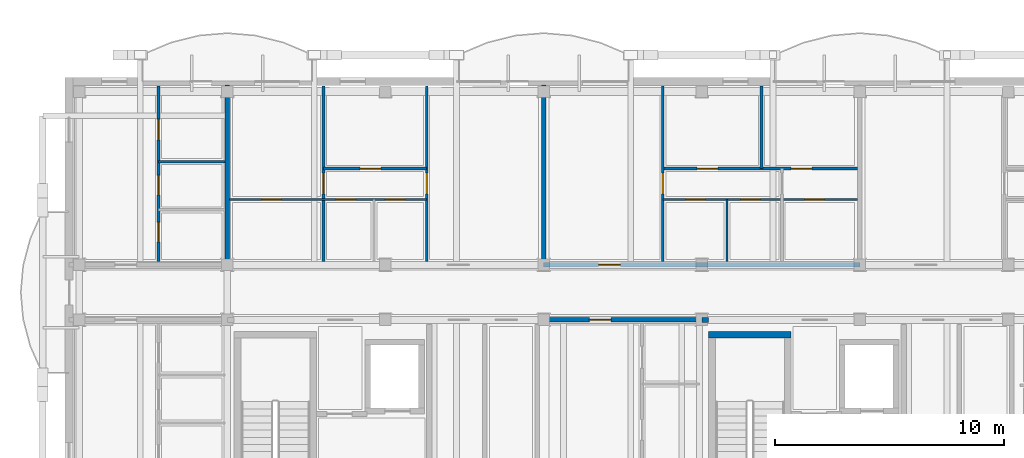
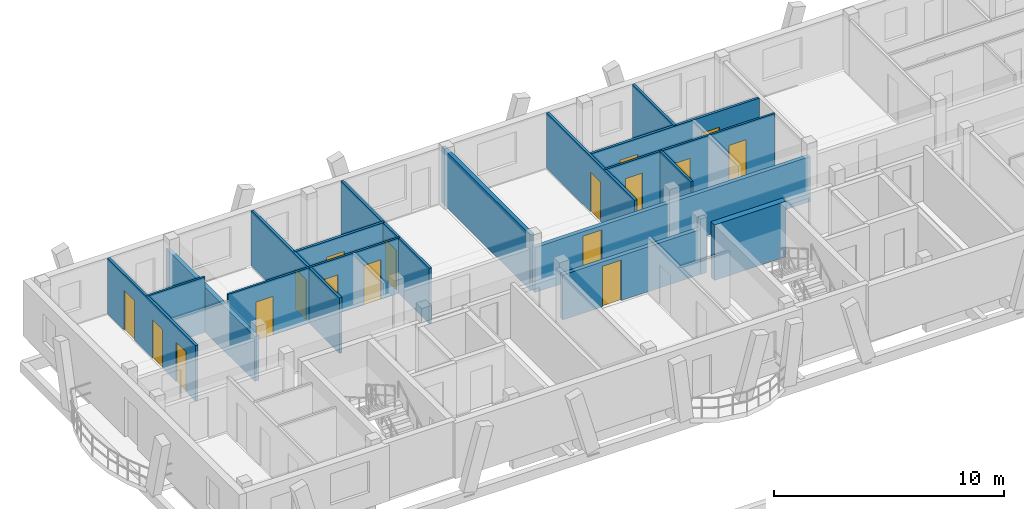
# One storey, part 73 of 109: 17 doors, 17 walls, 17 openings.
"""IFC4 building model written with IfcOpenShell, lengths in metres."""

from ifc_helpers import new_model, si_unit, direction, frame, frame_2d, origin, origin_with_axes, place, context, subcontext, project, spatial, rectangle, extrude, material, layer, layer_set, type_object, element, fill, save


model = new_model("IFC4")

# Units and contexts
model_context = context("Model", 3, precision=1e-05, world=origin(), true_north=direction((0.0, 1.0)))
body_context = subcontext(model_context, "Body", "Model", "MODEL_VIEW")
ifc_project = project(units=[si_unit("LENGTHUNIT", "METRE"), si_unit("AREAUNIT", "SQUARE_METRE"), si_unit("VOLUMEUNIT", "CUBIC_METRE"), si_unit("PLANEANGLEUNIT", "RADIAN"), si_unit("MASSUNIT", "GRAM", prefix="KILO")], contexts=[model_context])

# Site, building, storey
site_placement = place(None, origin())
site = spatial("IfcSite", under=ifc_project, at=site_placement, CompositionType="ELEMENT")
building_placement = place(site_placement, origin())
building = spatial("IfcBuilding", under=site, at=building_placement, Name="Zavelmont Quarter", CompositionType="ELEMENT")
storey_placement = place(building_placement, frame((0.0, 0.0, 8.0)))
storey = spatial("IfcBuildingStorey", under=building, at=storey_placement, Name="L02", CompositionType="ELEMENT", Elevation=8.0)

# Walls
ifc_material_1 = material(Name="Calcium-silicate blockwork and acoustic plaster", Category="masonry")
ifc_layer_1 = layer(ifc_material_1, 0.199951171875)
ifc_layer_set_1 = layer_set([ifc_layer_1], Name="Calcium-silicate blockwork and acoustic plaster")
wall_type_1 = type_object("IfcWallType", Name="IW01", PredefinedType="PARTITIONING", material=ifc_layer_set_1)
wall_1_placement = place(storey_placement, frame((6.89990234375, 108.14990234375, 0.0), z_axis=(0.0, 0.0, 1.0), x_axis=(0.0, 1.0, 0.0)))
element("IfcWall", 1, at=wall_1_placement, inside=storey, type_object=wall_type_1, Name="L02 Inter-dwelling compartment wall IW01", PredefinedType="PARTITIONING", context=body_context, shape_type="SweptSolid", body=[
    extrude(rectangle(XDim=7.7001953125, YDim=0.199951171875, at=frame_2d((3.85009765625, 0.0))), origin(), (0.0, 0.0, 1.0), 2.3798828125),
])
wall_2_placement = place(storey_placement, frame((20.699951171875, 108.14990234375, 0.0), z_axis=(0.0, 0.0, 1.0), x_axis=(0.0, 1.0, 0.0)))
element("IfcWall", 2, at=wall_2_placement, inside=storey, type_object=wall_type_1, Name="L02 Inter-dwelling compartment wall IW01", PredefinedType="PARTITIONING", context=body_context, shape_type="SweptSolid", body=[
    extrude(rectangle(XDim=7.7001953125, YDim=0.199951171875, at=frame_2d((3.85009765625, 0.0))), origin(), (0.0, 0.0, 1.0), 2.93994140625),
])

# Wall, opening, door
wall_3_placement = place(storey_placement, frame((20.699951171875, 108.0, 0.0), z_axis=(0.0, 0.0, 1.0), x_axis=(1.0, 0.0, 0.0)))
wall_3 = element("IfcWall", 3, at=wall_3_placement, inside=storey, type_object=wall_type_1, Name="L02 Corridor compartment wall IW01", PredefinedType="PARTITIONING", context=body_context, shape_type="SweptSolid", body=[
    extrude(rectangle(XDim=13.800048828125, YDim=0.199951171875, at=frame_2d((6.89990234375, 0.0))), origin(), (0.0, 0.0, 1.0), 2.3798828125),
])
opening_1_placement = place(wall_3_placement, frame((2.39990234375, 0.0, 0.0)))
opening_1 = element("IfcOpeningElement", 4, at=opening_1_placement, cuts=wall_3, Name="Opening DR02", PredefinedType="OPENING", context=body_context, shape_type="SweptSolid", body=[
    extrude(rectangle(XDim=0.949951171875, YDim=2.14990234375, at=frame_2d((0.47509765625, 1.074951171875))), frame((0.0, 0.11181640625, 0.0), z_axis=(0.0, -1.0, 0.0), x_axis=(1.0, 0.0, 0.0)), (0.0, 0.0, 1.0), 0.223876953125),
])
ifc_material_2 = material(Name="Solid-core oak fire leaf in steel frame", Category="steel")
door_type_1 = type_object("IfcDoorType", Name="DR02", OperationType="NOTDEFINED", PredefinedType="DOOR", material=ifc_material_2)
door_1_placement = place(opening_1_placement, origin_with_axes())
door_1 = element("IfcDoor", 5, at=door_1_placement, inside=storey, type_object=door_type_1, Name="L02 door DR02", OperationType="SINGLE_SWING_LEFT", OverallHeight=2.14990234375, OverallWidth=0.949951171875, PredefinedType="DOOR", context=body_context, shape_type="SweptSolid", body=[
    extrude(rectangle(XDim=0.949951171875, YDim=2.14990234375, at=frame_2d((0.47509765625, 1.074951171875))), frame((0.0, 0.02490234375, 0.0), z_axis=(0.0, -1.0, 0.0), x_axis=(1.0, 0.0, 0.0)), (0.0, 0.0, 1.0), 0.050048828125),
])
fill(opening_1, door_1)

wall_4_placement = place(storey_placement, frame((20.699951171875, 105.60009765625, 0.0), z_axis=(0.0, 0.0, 1.0), x_axis=(1.0, 0.0, 0.0)))
wall_4 = element("IfcWall", 6, at=wall_4_placement, inside=storey, type_object=wall_type_1, Name="L02 Corridor compartment wall IW01", PredefinedType="PARTITIONING", context=body_context, shape_type="SweptSolid", body=[
    extrude(rectangle(XDim=6.900146484375, YDim=0.199951171875, at=frame_2d((3.4501953125, 0.0))), origin(), (0.0, 0.0, 1.0), 2.3798828125),
])
opening_2_placement = place(wall_4_placement, frame((2.0, 0.0, 0.0)))
opening_2 = element("IfcOpeningElement", 7, at=opening_2_placement, cuts=wall_4, Name="Opening DR02", PredefinedType="OPENING", context=body_context, shape_type="SweptSolid", body=[
    extrude(rectangle(XDim=0.949951171875, YDim=2.14990234375, at=frame_2d((0.47509765625, 1.074951171875))), frame((0.0, 0.11181640625, 0.0), z_axis=(0.0, -1.0, 0.0), x_axis=(1.0, 0.0, 0.0)), (0.0, 0.0, 1.0), 0.223876953125),
])
door_2_placement = place(opening_2_placement, frame((0.949951171875, 0.0, 0.0), z_axis=(0.0, 0.0, 1.0), x_axis=(-1.0, 0.0, 0.0)))
door_2 = element("IfcDoor", 8, at=door_2_placement, inside=storey, type_object=door_type_1, Name="L02 door DR02", OperationType="SINGLE_SWING_RIGHT", OverallHeight=2.14990234375, OverallWidth=0.949951171875, PredefinedType="DOOR", context=body_context, shape_type="SweptSolid", body=[
    extrude(rectangle(XDim=0.949951171875, YDim=2.14990234375, at=frame_2d((0.47509765625, 1.074951171875))), frame((0.0, 0.02490234375, 0.0), z_axis=(0.0, -1.0, 0.0), x_axis=(1.0, 0.0, 0.0)), (0.0, 0.0, 1.0), 0.050048828125),
])
fill(opening_2, door_2)

# Wall
ifc_material_3 = material(Name="Reinforced masonry fire compartment wall", Category="masonry")
ifc_layer_2 = layer(ifc_material_3, 0.22509765625)
ifc_layer_set_2 = layer_set([ifc_layer_2], Name="Reinforced masonry fire compartment wall")
wall_type_2 = type_object("IfcWallType", Name="IW02", PredefinedType="PARTITIONING", material=ifc_layer_set_2)
wall_5_placement = place(storey_placement, frame((27.60009765625, 105.60009765625, 0.0), z_axis=(0.0, 0.0, 1.0), x_axis=(1.0, 0.0, 0.0)))
element("IfcWall", 9, at=wall_5_placement, inside=storey, type_object=wall_type_2, Name="L02 Core corridor wall IW02", PredefinedType="PARTITIONING", context=body_context, shape_type="SweptSolid", body=[
    extrude(rectangle(XDim=0.2998046875, YDim=0.22509765625, at=frame_2d((0.14990234375, 0.0))), origin(), (0.0, 0.0, 1.0), 2.93994140625),
])

# Wall, openings, doors
ifc_material_4 = material(Name="Double gypsum board on acoustic steel stud", Category="steel")
ifc_layer_3 = layer(ifc_material_4, 0.125)
ifc_layer_set_3 = layer_set([ifc_layer_3], Name="Double gypsum board on acoustic steel stud")
wall_type_3 = type_object("IfcWallType", Name="IW03", PredefinedType="PARTITIONING", material=ifc_layer_set_3)
wall_6_placement = place(storey_placement, frame((3.89990234375, 108.14990234375, 0.0), z_axis=(0.0, 0.0, 1.0), x_axis=(0.0, 1.0, 0.0)))
wall_6 = element("IfcWall", 10, at=wall_6_placement, inside=storey, type_object=wall_type_3, Name="L02 Partition IW03", PredefinedType="PARTITIONING", context=body_context, shape_type="SweptSolid", body=[
    extrude(rectangle(XDim=7.650146484375, YDim=0.125, at=frame_2d((3.8251953125, 0.0))), origin(), (0.0, 0.0, 1.0), 2.93994140625),
])
opening_3_placement = place(wall_6_placement, frame((0.85009765625, 0.0, 0.0)))
opening_3 = element("IfcOpeningElement", 11, at=opening_3_placement, cuts=wall_6, Name="Opening DR16", PredefinedType="OPENING", context=body_context, shape_type="SweptSolid", body=[
    extrude(rectangle(XDim=0.85009765625, YDim=2.10009765625, at=frame_2d((0.425048828125, 1.050048828125))), frame((0.0, 0.074462890625, 0.0), z_axis=(0.0, -1.0, 0.0), x_axis=(1.0, 0.0, 0.0)), (0.0, 0.0, 1.0), 0.14892578125),
])
opening_4_placement = place(wall_6_placement, frame((2.89990234375, 0.0, 0.0)))
opening_4 = element("IfcOpeningElement", 12, at=opening_4_placement, cuts=wall_6, Name="Opening DR06", PredefinedType="OPENING", context=body_context, shape_type="SweptSolid", body=[
    extrude(rectangle(XDim=0.85009765625, YDim=2.050048828125, at=frame_2d((0.425048828125, 1.02490234375))), frame((0.0, 0.074462890625, 0.0), z_axis=(0.0, -1.0, 0.0), x_axis=(1.0, 0.0, 0.0)), (0.0, 0.0, 1.0), 0.14892578125),
])
opening_5_placement = place(wall_6_placement, frame((5.300048828125, 0.0, 0.0)))
opening_5 = element("IfcOpeningElement", 13, at=opening_5_placement, cuts=wall_6, Name="Opening DR05", PredefinedType="OPENING", context=body_context, shape_type="SweptSolid", body=[
    extrude(rectangle(XDim=0.89990234375, YDim=2.10009765625, at=frame_2d((0.449951171875, 1.050048828125))), frame((0.0, 0.074462890625, 0.0), z_axis=(0.0, -1.0, 0.0), x_axis=(1.0, 0.0, 0.0)), (0.0, 0.0, 1.0), 0.14892578125),
])
ifc_material_5 = material(Name="Engineered oak flush interior door")
door_type_2 = type_object("IfcDoorType", Name="DR05", OperationType="NOTDEFINED", PredefinedType="DOOR", material=ifc_material_5)
door_3_placement = place(opening_5_placement, origin_with_axes())
door_3 = element("IfcDoor", 14, at=door_3_placement, inside=storey, type_object=door_type_2, Name="L02 door DR05", OperationType="SINGLE_SWING_RIGHT", OverallHeight=2.10009765625, OverallWidth=0.89990234375, PredefinedType="DOOR", context=body_context, shape_type="SweptSolid", body=[
    extrude(rectangle(XDim=0.89990234375, YDim=2.10009765625, at=frame_2d((0.449951171875, 1.050048828125))), frame((0.0, 0.02490234375, 0.0), z_axis=(0.0, -1.0, 0.0), x_axis=(1.0, 0.0, 0.0)), (0.0, 0.0, 1.0), 0.050048828125),
])
fill(opening_5, door_3)
ifc_material_6 = material(Name="Moisture-resistant painted wet-room door")
door_type_3 = type_object("IfcDoorType", Name="DR06", OperationType="NOTDEFINED", PredefinedType="DOOR", material=ifc_material_6)
door_4_placement = place(opening_4_placement, frame((0.85009765625, 0.0, 0.0), z_axis=(0.0, 0.0, 1.0), x_axis=(-1.0, 0.0, 0.0)))
door_4 = element("IfcDoor", 15, at=door_4_placement, inside=storey, type_object=door_type_3, Name="L02 door DR06", OperationType="SINGLE_SWING_LEFT", OverallHeight=2.050048828125, OverallWidth=0.85009765625, PredefinedType="DOOR", context=body_context, shape_type="SweptSolid", body=[
    extrude(rectangle(XDim=0.85009765625, YDim=2.050048828125, at=frame_2d((0.425048828125, 1.02490234375))), frame((0.0, 0.02490234375, 0.0), z_axis=(0.0, -1.0, 0.0), x_axis=(1.0, 0.0, 0.0)), (0.0, 0.0, 1.0), 0.050048828125),
])
fill(opening_4, door_4)
door_type_4 = type_object("IfcDoorType", Name="DR16", OperationType="NOTDEFINED", PredefinedType="DOOR", material=ifc_material_5)
door_5_placement = place(opening_3_placement, origin_with_axes())
door_5 = element("IfcDoor", 16, at=door_5_placement, inside=storey, type_object=door_type_4, Name="L02 door DR16", OperationType="SINGLE_SWING_RIGHT", OverallHeight=2.10009765625, OverallWidth=0.85009765625, PredefinedType="DOOR", context=body_context, shape_type="SweptSolid", body=[
    extrude(rectangle(XDim=0.85009765625, YDim=2.10009765625, at=frame_2d((0.425048828125, 1.050048828125))), frame((0.0, 0.02490234375, 0.0), z_axis=(0.0, -1.0, 0.0), x_axis=(1.0, 0.0, 0.0)), (0.0, 0.0, 1.0), 0.050048828125),
])
fill(opening_3, door_5)

# Wall, opening, door
wall_7_placement = place(storey_placement, frame((15.60009765625, 108.14990234375, 0.0), z_axis=(0.0, 0.0, 1.0), x_axis=(0.0, 1.0, 0.0)))
wall_7 = element("IfcWall", 17, at=wall_7_placement, inside=storey, type_object=wall_type_3, Name="L02 Partition IW03", PredefinedType="PARTITIONING", context=body_context, shape_type="SweptSolid", body=[
    extrude(rectangle(XDim=7.650146484375, YDim=0.125, at=frame_2d((3.8251953125, 0.0))), origin(), (0.0, 0.0, 1.0), 2.93994140625),
])
opening_6_placement = place(wall_7_placement, frame((2.949951171875, 0.0, 0.0)))
opening_6 = element("IfcOpeningElement", 18, at=opening_6_placement, cuts=wall_7, Name="Opening DR05", PredefinedType="OPENING", context=body_context, shape_type="SweptSolid", body=[
    extrude(rectangle(XDim=0.89990234375, YDim=2.10009765625, at=frame_2d((0.449951171875, 1.050048828125))), frame((0.0, 0.074462890625, 0.0), z_axis=(0.0, -1.0, 0.0), x_axis=(1.0, 0.0, 0.0)), (0.0, 0.0, 1.0), 0.14892578125),
])
door_6_placement = place(opening_6_placement, origin_with_axes())
door_6 = element("IfcDoor", 19, at=door_6_placement, inside=storey, type_object=door_type_2, Name="L02 door DR05", OperationType="SINGLE_SWING_LEFT", OverallHeight=2.10009765625, OverallWidth=0.89990234375, PredefinedType="DOOR", context=body_context, shape_type="SweptSolid", body=[
    extrude(rectangle(XDim=0.89990234375, YDim=2.10009765625, at=frame_2d((0.449951171875, 1.050048828125))), frame((0.0, 0.02490234375, 0.0), z_axis=(0.0, -1.0, 0.0), x_axis=(1.0, 0.0, 0.0)), (0.0, 0.0, 1.0), 0.050048828125),
])
fill(opening_6, door_6)

wall_8_placement = place(storey_placement, frame((11.10009765625, 108.14990234375, 0.0), z_axis=(0.0, 0.0, 1.0), x_axis=(0.0, 1.0, 0.0)))
wall_8 = element("IfcWall", 20, at=wall_8_placement, inside=storey, type_object=wall_type_3, Name="L02 Partition IW03", PredefinedType="PARTITIONING", context=body_context, shape_type="SweptSolid", body=[
    extrude(rectangle(XDim=7.650146484375, YDim=0.125, at=frame_2d((3.8251953125, 0.0))), origin(), (0.0, 0.0, 1.0), 2.93994140625),
])
opening_7_placement = place(wall_8_placement, frame((2.949951171875, 0.0, 0.0)))
opening_7 = element("IfcOpeningElement", 21, at=opening_7_placement, cuts=wall_8, Name="Opening DR05", PredefinedType="OPENING", context=body_context, shape_type="SweptSolid", body=[
    extrude(rectangle(XDim=0.89990234375, YDim=2.10009765625, at=frame_2d((0.449951171875, 1.050048828125))), frame((0.0, 0.074462890625, 0.0), z_axis=(0.0, -1.0, 0.0), x_axis=(1.0, 0.0, 0.0)), (0.0, 0.0, 1.0), 0.14892578125),
])
door_7_placement = place(opening_7_placement, frame((0.89990234375, 0.0, 0.0), z_axis=(0.0, 0.0, 1.0), x_axis=(-1.0, 0.0, 0.0)))
door_7 = element("IfcDoor", 22, at=door_7_placement, inside=storey, type_object=door_type_2, Name="L02 door DR05", OperationType="SINGLE_SWING_RIGHT", OverallHeight=2.10009765625, OverallWidth=0.89990234375, PredefinedType="DOOR", context=body_context, shape_type="SweptSolid", body=[
    extrude(rectangle(XDim=0.89990234375, YDim=2.10009765625, at=frame_2d((0.449951171875, 1.050048828125))), frame((0.0, 0.02490234375, 0.0), z_axis=(0.0, -1.0, 0.0), x_axis=(1.0, 0.0, 0.0)), (0.0, 0.0, 1.0), 0.050048828125),
])
fill(opening_7, door_7)

wall_9_placement = place(storey_placement, frame((11.10009765625, 112.199951171875, 0.0), z_axis=(0.0, 0.0, 1.0), x_axis=(1.0, 0.0, 0.0)))
wall_9 = element("IfcWall", 23, at=wall_9_placement, inside=storey, type_object=wall_type_3, Name="L02 Partition IW03", PredefinedType="PARTITIONING", context=body_context, shape_type="SweptSolid", body=[
    extrude(rectangle(XDim=4.5, YDim=0.125, at=frame_2d((2.25, 0.0))), origin(), (0.0, 0.0, 1.0), 2.93994140625),
])
opening_8_placement = place(wall_9_placement, frame((1.60009765625, 0.0, 0.0)))
opening_8 = element("IfcOpeningElement", 24, at=opening_8_placement, cuts=wall_9, Name="Opening DR05", PredefinedType="OPENING", context=body_context, shape_type="SweptSolid", body=[
    extrude(rectangle(XDim=0.89990234375, YDim=2.10009765625, at=frame_2d((0.449951171875, 1.050048828125))), frame((0.0, 0.074462890625, 0.0), z_axis=(0.0, -1.0, 0.0), x_axis=(1.0, 0.0, 0.0)), (0.0, 0.0, 1.0), 0.14892578125),
])
door_8_placement = place(opening_8_placement, frame((0.89990234375, 0.0, 0.0), z_axis=(0.0, 0.0, 1.0), x_axis=(-1.0, 0.0, 0.0)))
door_8 = element("IfcDoor", 25, at=door_8_placement, inside=storey, type_object=door_type_2, Name="L02 door DR05", OperationType="SINGLE_SWING_RIGHT", OverallHeight=2.10009765625, OverallWidth=0.89990234375, PredefinedType="DOOR", context=body_context, shape_type="SweptSolid", body=[
    extrude(rectangle(XDim=0.89990234375, YDim=2.10009765625, at=frame_2d((0.449951171875, 1.050048828125))), frame((0.0, 0.02490234375, 0.0), z_axis=(0.0, -1.0, 0.0), x_axis=(1.0, 0.0, 0.0)), (0.0, 0.0, 1.0), 0.050048828125),
])
fill(opening_8, door_8)

wall_10_placement = place(storey_placement, frame((25.89990234375, 108.14990234375, 0.0), z_axis=(0.0, 0.0, 1.0), x_axis=(0.0, 1.0, 0.0)))
wall_10 = element("IfcWall", 26, at=wall_10_placement, inside=storey, type_object=wall_type_3, Name="L02 Partition IW03", PredefinedType="PARTITIONING", context=body_context, shape_type="SweptSolid", body=[
    extrude(rectangle(XDim=7.650146484375, YDim=0.125, at=frame_2d((3.8251953125, 0.0))), origin(), (0.0, 0.0, 1.0), 2.93994140625),
])
opening_9_placement = place(wall_10_placement, frame((2.949951171875, 0.0, 0.0)))
opening_9 = element("IfcOpeningElement", 27, at=opening_9_placement, cuts=wall_10, Name="Opening DR05", PredefinedType="OPENING", context=body_context, shape_type="SweptSolid", body=[
    extrude(rectangle(XDim=0.89990234375, YDim=2.10009765625, at=frame_2d((0.449951171875, 1.050048828125))), frame((0.0, 0.074462890625, 0.0), z_axis=(0.0, -1.0, 0.0), x_axis=(1.0, 0.0, 0.0)), (0.0, 0.0, 1.0), 0.14892578125),
])
door_9_placement = place(opening_9_placement, frame((0.89990234375, 0.0, 0.0), z_axis=(0.0, 0.0, 1.0), x_axis=(-1.0, 0.0, 0.0)))
door_9 = element("IfcDoor", 28, at=door_9_placement, inside=storey, type_object=door_type_2, Name="L02 door DR05", OperationType="SINGLE_SWING_LEFT", OverallHeight=2.10009765625, OverallWidth=0.89990234375, PredefinedType="DOOR", context=body_context, shape_type="SweptSolid", body=[
    extrude(rectangle(XDim=0.89990234375, YDim=2.10009765625, at=frame_2d((0.449951171875, 1.050048828125))), frame((0.0, 0.02490234375, 0.0), z_axis=(0.0, -1.0, 0.0), x_axis=(1.0, 0.0, 0.0)), (0.0, 0.0, 1.0), 0.050048828125),
])
fill(opening_9, door_9)

# Wall
wall_11_placement = place(storey_placement, frame((30.199951171875, 112.199951171875, 0.0), z_axis=(0.0, 0.0, 1.0), x_axis=(0.0, 1.0, 0.0)))
element("IfcWall", 29, at=wall_11_placement, inside=storey, type_object=wall_type_3, Name="L02 Partition IW03", PredefinedType="PARTITIONING", context=body_context, shape_type="SweptSolid", body=[
    extrude(rectangle(XDim=3.60009765625, YDim=0.125, at=frame_2d((1.800048828125, 0.0))), origin(), (0.0, 0.0, 1.0), 2.93994140625),
])

# Wall, openings, doors
wall_12_placement = place(storey_placement, frame((25.89990234375, 112.199951171875, 0.0), z_axis=(0.0, 0.0, 1.0), x_axis=(1.0, 0.0, 0.0)))
wall_12 = element("IfcWall", 30, at=wall_12_placement, inside=storey, type_object=wall_type_3, Name="L02 Partition IW03", PredefinedType="PARTITIONING", context=body_context, shape_type="SweptSolid", body=[
    extrude(rectangle(XDim=8.5, YDim=0.125, at=frame_2d((4.25, 0.0))), origin(), (0.0, 0.0, 1.0), 2.93994140625),
])
opening_10_placement = place(wall_12_placement, frame((1.5, 0.0, 0.0)))
opening_10 = element("IfcOpeningElement", 31, at=opening_10_placement, cuts=wall_12, Name="Opening DR05", PredefinedType="OPENING", context=body_context, shape_type="SweptSolid", body=[
    extrude(rectangle(XDim=0.89990234375, YDim=2.10009765625, at=frame_2d((0.449951171875, 1.050048828125))), frame((0.0, 0.074462890625, 0.0), z_axis=(0.0, -1.0, 0.0), x_axis=(1.0, 0.0, 0.0)), (0.0, 0.0, 1.0), 0.14892578125),
])
opening_11_placement = place(wall_12_placement, frame((5.60009765625, 0.0, 0.0)))
opening_11 = element("IfcOpeningElement", 32, at=opening_11_placement, cuts=wall_12, Name="Opening DR05", PredefinedType="OPENING", context=body_context, shape_type="SweptSolid", body=[
    extrude(rectangle(XDim=0.89990234375, YDim=2.10009765625, at=frame_2d((0.449951171875, 1.050048828125))), frame((0.0, 0.074462890625, 0.0), z_axis=(0.0, -1.0, 0.0), x_axis=(1.0, 0.0, 0.0)), (0.0, 0.0, 1.0), 0.14892578125),
])
door_10_placement = place(opening_10_placement, origin_with_axes())
door_10 = element("IfcDoor", 33, at=door_10_placement, inside=storey, type_object=door_type_2, Name="L02 door DR05", OperationType="SINGLE_SWING_RIGHT", OverallHeight=2.10009765625, OverallWidth=0.89990234375, PredefinedType="DOOR", context=body_context, shape_type="SweptSolid", body=[
    extrude(rectangle(XDim=0.89990234375, YDim=2.10009765625, at=frame_2d((0.449951171875, 1.050048828125))), frame((0.0, 0.02490234375, 0.0), z_axis=(0.0, -1.0, 0.0), x_axis=(1.0, 0.0, 0.0)), (0.0, 0.0, 1.0), 0.050048828125),
])
fill(opening_10, door_10)
door_11_placement = place(opening_11_placement, frame((0.89990234375, 0.0, 0.0), z_axis=(0.0, 0.0, 1.0), x_axis=(-1.0, 0.0, 0.0)))
door_11 = element("IfcDoor", 34, at=door_11_placement, inside=storey, type_object=door_type_2, Name="L02 door DR05", OperationType="SINGLE_SWING_LEFT", OverallHeight=2.10009765625, OverallWidth=0.89990234375, PredefinedType="DOOR", context=body_context, shape_type="SweptSolid", body=[
    extrude(rectangle(XDim=0.89990234375, YDim=2.10009765625, at=frame_2d((0.449951171875, 1.050048828125))), frame((0.0, 0.02490234375, 0.0), z_axis=(0.0, -1.0, 0.0), x_axis=(1.0, 0.0, 0.0)), (0.0, 0.0, 1.0), 0.050048828125),
])
fill(opening_11, door_11)

# Wall
ifc_material_7 = material(Name="Moisture-resistant gypsum board on steel stud", Category="steel")
ifc_layer_4 = layer(ifc_material_7, 0.10009765625)
ifc_layer_set_4 = layer_set([ifc_layer_4], Name="Moisture-resistant gypsum board on steel stud")
wall_type_4 = type_object("IfcWallType", Name="IW04", PredefinedType="PARTITIONING", material=ifc_layer_set_4)
wall_13_placement = place(storey_placement, frame((3.89990234375, 112.5, 0.0), z_axis=(0.0, 0.0, 1.0), x_axis=(1.0, 0.0, 0.0)))
element("IfcWall", 35, at=wall_13_placement, inside=storey, type_object=wall_type_4, Name="L02 Partition IW04", PredefinedType="PARTITIONING", context=body_context, shape_type="SweptSolid", body=[
    extrude(rectangle(XDim=2.900146484375, YDim=0.10009765625, at=frame_2d((1.4501953125, 0.0))), origin(), (0.0, 0.0, 1.0), 2.93994140625),
])

# Wall, openings, doors
wall_14_placement = place(storey_placement, frame((7.0, 110.85009765625, 0.0), z_axis=(0.0, 0.0, 1.0), x_axis=(1.0, 0.0, 0.0)))
wall_14 = element("IfcWall", 36, at=wall_14_placement, inside=storey, type_object=wall_type_4, Name="L02 Partition IW04", PredefinedType="PARTITIONING", context=body_context, shape_type="SweptSolid", body=[
    extrude(rectangle(XDim=8.60009765625, YDim=0.10009765625, at=frame_2d((4.300048828125, 0.0))), origin(), (0.0, 0.0, 1.0), 2.93994140625),
])
opening_12_placement = place(wall_14_placement, frame((1.39990234375, 0.0, 0.0)))
opening_12 = element("IfcOpeningElement", 37, at=opening_12_placement, cuts=wall_14, Name="Opening DR06", PredefinedType="OPENING", context=body_context, shape_type="SweptSolid", body=[
    extrude(rectangle(XDim=0.85009765625, YDim=2.050048828125, at=frame_2d((0.425048828125, 1.02490234375))), frame((0.0, 0.06201171875, 0.0), z_axis=(0.0, -1.0, 0.0), x_axis=(1.0, 0.0, 0.0)), (0.0, 0.0, 1.0), 0.1240234375),
])
opening_13_placement = place(wall_14_placement, frame((4.64990234375, 0.0, 0.0)))
opening_13 = element("IfcOpeningElement", 38, at=opening_13_placement, cuts=wall_14, Name="Opening DR06", PredefinedType="OPENING", context=body_context, shape_type="SweptSolid", body=[
    extrude(rectangle(XDim=0.85009765625, YDim=2.050048828125, at=frame_2d((0.425048828125, 1.02490234375))), frame((0.0, 0.06201171875, 0.0), z_axis=(0.0, -1.0, 0.0), x_axis=(1.0, 0.0, 0.0)), (0.0, 0.0, 1.0), 0.1240234375),
])
opening_14_placement = place(wall_14_placement, frame((6.800048828125, 0.0, 0.0)))
opening_14 = element("IfcOpeningElement", 39, at=opening_14_placement, cuts=wall_14, Name="Opening DR16", PredefinedType="OPENING", context=body_context, shape_type="SweptSolid", body=[
    extrude(rectangle(XDim=0.85009765625, YDim=2.10009765625, at=frame_2d((0.425048828125, 1.050048828125))), frame((0.0, 0.06201171875, 0.0), z_axis=(0.0, -1.0, 0.0), x_axis=(1.0, 0.0, 0.0)), (0.0, 0.0, 1.0), 0.1240234375),
])
door_12_placement = place(opening_12_placement, origin_with_axes())
door_12 = element("IfcDoor", 40, at=door_12_placement, inside=storey, type_object=door_type_3, Name="L02 door DR06", OperationType="SINGLE_SWING_LEFT", OverallHeight=2.050048828125, OverallWidth=0.85009765625, PredefinedType="DOOR", context=body_context, shape_type="SweptSolid", body=[
    extrude(rectangle(XDim=0.85009765625, YDim=2.050048828125, at=frame_2d((0.425048828125, 1.02490234375))), frame((0.0, 0.02490234375, 0.0), z_axis=(0.0, -1.0, 0.0), x_axis=(1.0, 0.0, 0.0)), (0.0, 0.0, 1.0), 0.050048828125),
])
fill(opening_12, door_12)
door_13_placement = place(opening_13_placement, frame((0.85009765625, 0.0, 0.0), z_axis=(0.0, 0.0, 1.0), x_axis=(-1.0, 0.0, 0.0)))
door_13 = element("IfcDoor", 41, at=door_13_placement, inside=storey, type_object=door_type_3, Name="L02 door DR06", OperationType="SINGLE_SWING_RIGHT", OverallHeight=2.050048828125, OverallWidth=0.85009765625, PredefinedType="DOOR", context=body_context, shape_type="SweptSolid", body=[
    extrude(rectangle(XDim=0.85009765625, YDim=2.050048828125, at=frame_2d((0.425048828125, 1.02490234375))), frame((0.0, 0.02490234375, 0.0), z_axis=(0.0, -1.0, 0.0), x_axis=(1.0, 0.0, 0.0)), (0.0, 0.0, 1.0), 0.050048828125),
])
fill(opening_13, door_13)
door_14_placement = place(opening_14_placement, origin_with_axes())
door_14 = element("IfcDoor", 42, at=door_14_placement, inside=storey, type_object=door_type_4, Name="L02 door DR16", OperationType="SINGLE_SWING_LEFT", OverallHeight=2.10009765625, OverallWidth=0.85009765625, PredefinedType="DOOR", context=body_context, shape_type="SweptSolid", body=[
    extrude(rectangle(XDim=0.85009765625, YDim=2.10009765625, at=frame_2d((0.425048828125, 1.050048828125))), frame((0.0, 0.02490234375, 0.0), z_axis=(0.0, -1.0, 0.0), x_axis=(1.0, 0.0, 0.0)), (0.0, 0.0, 1.0), 0.050048828125),
])
fill(opening_14, door_14)

# Wall
wall_15_placement = place(storey_placement, frame((28.699951171875, 108.14990234375, 0.0), z_axis=(0.0, 0.0, 1.0), x_axis=(0.0, 1.0, 0.0)))
element("IfcWall", 43, at=wall_15_placement, inside=storey, type_object=wall_type_4, Name="L02 Partition IW04", PredefinedType="PARTITIONING", context=body_context, shape_type="SweptSolid", body=[
    extrude(rectangle(XDim=2.7001953125, YDim=0.10009765625, at=frame_2d((1.35009765625, 0.0))), origin(), (0.0, 0.0, 1.0), 2.93994140625),
])

# Wall, openings, doors
wall_16_placement = place(storey_placement, frame((25.89990234375, 110.85009765625, 0.0), z_axis=(0.0, 0.0, 1.0), x_axis=(1.0, 0.0, 0.0)))
wall_16 = element("IfcWall", 44, at=wall_16_placement, inside=storey, type_object=wall_type_4, Name="L02 Partition IW04", PredefinedType="PARTITIONING", context=body_context, shape_type="SweptSolid", body=[
    extrude(rectangle(XDim=8.5, YDim=0.10009765625, at=frame_2d((4.25, 0.0))), origin(), (0.0, 0.0, 1.0), 2.93994140625),
])
opening_15_placement = place(wall_16_placement, frame((1.0, 0.0, 0.0)))
opening_15 = element("IfcOpeningElement", 45, at=opening_15_placement, cuts=wall_16, Name="Opening DR16", PredefinedType="OPENING", context=body_context, shape_type="SweptSolid", body=[
    extrude(rectangle(XDim=0.85009765625, YDim=2.10009765625, at=frame_2d((0.425048828125, 1.050048828125))), frame((0.0, 0.06201171875, 0.0), z_axis=(0.0, -1.0, 0.0), x_axis=(1.0, 0.0, 0.0)), (0.0, 0.0, 1.0), 0.1240234375),
])
opening_16_placement = place(wall_16_placement, frame((3.39990234375, 0.0, 0.0)))
opening_16 = element("IfcOpeningElement", 46, at=opening_16_placement, cuts=wall_16, Name="Opening DR06", PredefinedType="OPENING", context=body_context, shape_type="SweptSolid", body=[
    extrude(rectangle(XDim=0.85009765625, YDim=2.050048828125, at=frame_2d((0.425048828125, 1.02490234375))), frame((0.0, 0.06201171875, 0.0), z_axis=(0.0, -1.0, 0.0), x_axis=(1.0, 0.0, 0.0)), (0.0, 0.0, 1.0), 0.1240234375),
])
opening_17_placement = place(wall_16_placement, frame((6.199951171875, 0.0, 0.0)))
opening_17 = element("IfcOpeningElement", 47, at=opening_17_placement, cuts=wall_16, Name="Opening DR06", PredefinedType="OPENING", context=body_context, shape_type="SweptSolid", body=[
    extrude(rectangle(XDim=0.85009765625, YDim=2.050048828125, at=frame_2d((0.425048828125, 1.02490234375))), frame((0.0, 0.06201171875, 0.0), z_axis=(0.0, -1.0, 0.0), x_axis=(1.0, 0.0, 0.0)), (0.0, 0.0, 1.0), 0.1240234375),
])
door_15_placement = place(opening_16_placement, origin_with_axes())
door_15 = element("IfcDoor", 48, at=door_15_placement, inside=storey, type_object=door_type_3, Name="L02 door DR06", OperationType="SINGLE_SWING_RIGHT", OverallHeight=2.050048828125, OverallWidth=0.85009765625, PredefinedType="DOOR", context=body_context, shape_type="SweptSolid", body=[
    extrude(rectangle(XDim=0.85009765625, YDim=2.050048828125, at=frame_2d((0.425048828125, 1.02490234375))), frame((0.0, 0.02490234375, 0.0), z_axis=(0.0, -1.0, 0.0), x_axis=(1.0, 0.0, 0.0)), (0.0, 0.0, 1.0), 0.050048828125),
])
fill(opening_16, door_15)
door_16_placement = place(opening_17_placement, frame((0.85009765625, 0.0, 0.0), z_axis=(0.0, 0.0, 1.0), x_axis=(-1.0, 0.0, 0.0)))
door_16 = element("IfcDoor", 49, at=door_16_placement, inside=storey, type_object=door_type_3, Name="L02 door DR06", OperationType="SINGLE_SWING_LEFT", OverallHeight=2.050048828125, OverallWidth=0.85009765625, PredefinedType="DOOR", context=body_context, shape_type="SweptSolid", body=[
    extrude(rectangle(XDim=0.85009765625, YDim=2.050048828125, at=frame_2d((0.425048828125, 1.02490234375))), frame((0.0, 0.02490234375, 0.0), z_axis=(0.0, -1.0, 0.0), x_axis=(1.0, 0.0, 0.0)), (0.0, 0.0, 1.0), 0.050048828125),
])
fill(opening_17, door_16)
door_17_placement = place(opening_15_placement, frame((0.85009765625, 0.0, 0.0), z_axis=(0.0, 0.0, 1.0), x_axis=(-1.0, 0.0, 0.0)))
door_17 = element("IfcDoor", 50, at=door_17_placement, inside=storey, type_object=door_type_4, Name="L02 door DR16", OperationType="SINGLE_SWING_LEFT", OverallHeight=2.10009765625, OverallWidth=0.85009765625, PredefinedType="DOOR", context=body_context, shape_type="SweptSolid", body=[
    extrude(rectangle(XDim=0.85009765625, YDim=2.10009765625, at=frame_2d((0.425048828125, 1.050048828125))), frame((0.0, 0.02490234375, 0.0), z_axis=(0.0, -1.0, 0.0), x_axis=(1.0, 0.0, 0.0)), (0.0, 0.0, 1.0), 0.050048828125),
])
fill(opening_15, door_17)

# Wall
ifc_material_8 = material(Name="Concrete C40/50", Category="concrete")
ifc_layer_5 = layer(ifc_material_8, 0.300048828125)
ifc_layer_set_5 = layer_set([ifc_layer_5], Name="Concrete C40/50")
wall_type_5 = type_object("IfcWallType", Name="SW01", PredefinedType="SHEAR", material=ifc_layer_set_5)
wall_17_placement = place(storey_placement, frame((27.89990234375, 104.949951171875, 0.0), z_axis=(0.0, 0.0, 1.0), x_axis=(1.0, 0.0, 0.0)))
element("IfcWall", 51, at=wall_17_placement, inside=storey, type_object=wall_type_5, Name="L02 ST04 corridor shear wall SW01", PredefinedType="SHEAR", context=body_context, shape_type="SweptSolid", body=[
    extrude(rectangle(XDim=3.60009765625, YDim=0.300048828125, at=frame_2d((1.800048828125, 0.0))), origin(), (0.0, 0.0, 1.0), 2.93994140625),
])

save(model, "model.ifc")
